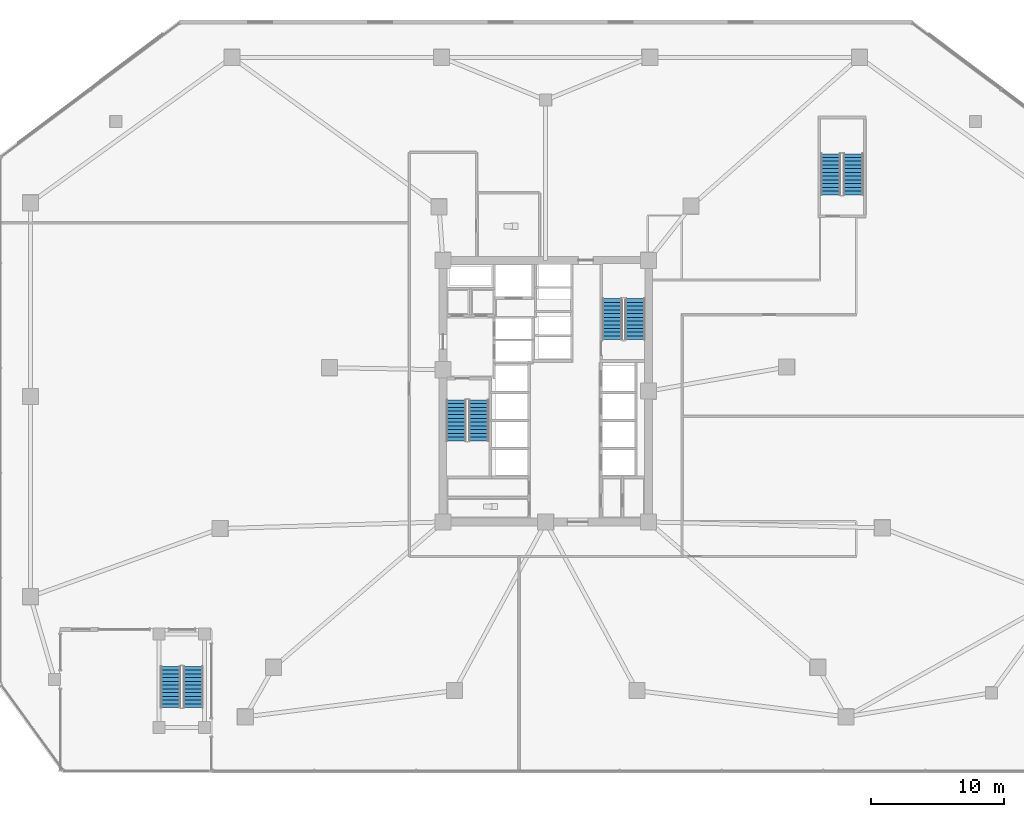
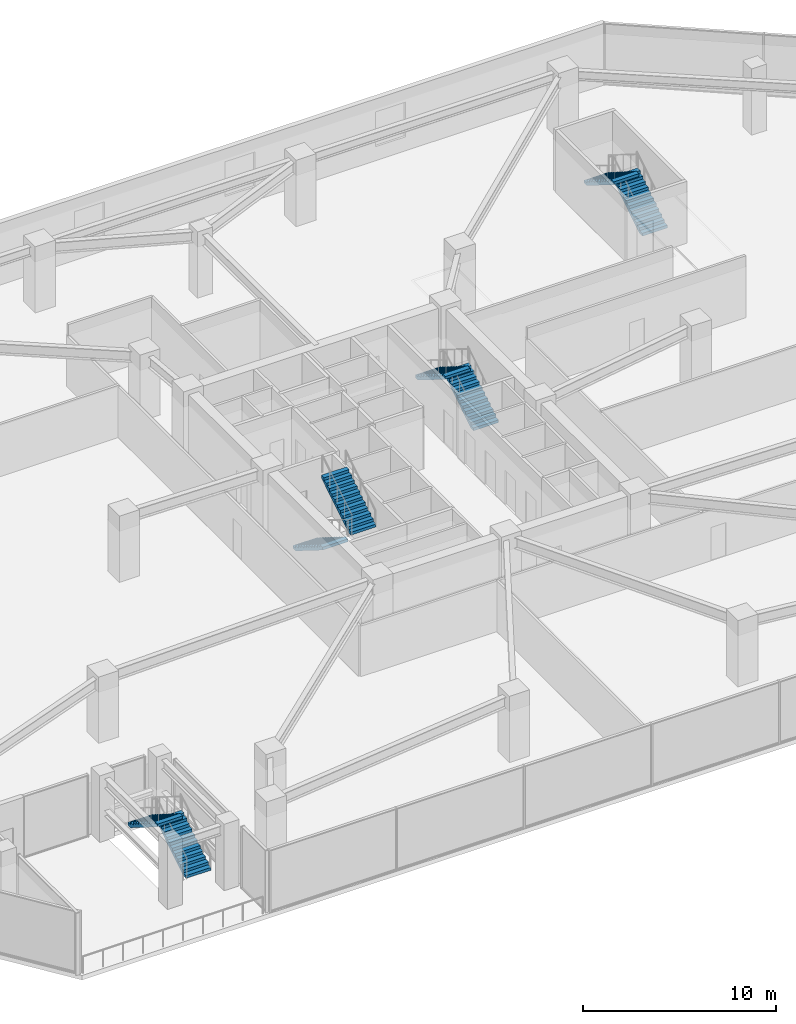
# One storey, part 13 of 21: 8 stair flights, 4 elements without a shape of their own.
"""IFC4 building model written with IfcOpenShell, lengths in metres."""

from ifc_helpers import new_model, si_unit, direction, frame, origin, place, context, subcontext, project, spatial, polyline, outline, extrude, material, type_object, element, aggregate, save


model = new_model("IFC4")

# Units and contexts
model_context = context("Model", 3, precision=1e-05, world=origin(), true_north=direction((0.0, 1.0)))
body_context = subcontext(model_context, "Body", "Model", "MODEL_VIEW")
ifc_project = project(units=[si_unit("LENGTHUNIT", "METRE"), si_unit("AREAUNIT", "SQUARE_METRE"), si_unit("VOLUMEUNIT", "CUBIC_METRE"), si_unit("PLANEANGLEUNIT", "RADIAN"), si_unit("MASSUNIT", "GRAM", prefix="KILO")], contexts=[model_context])

# Site, building, storey
site_placement = place(None, origin())
site = spatial("IfcSite", under=ifc_project, at=site_placement, CompositionType="ELEMENT")
building_placement = place(site_placement, origin())
building = spatial("IfcBuilding", under=site, at=building_placement, Name="Savorim Split Tower", CompositionType="ELEMENT")
storey_placement = place(building_placement, frame((0.0, 0.0, 5.0)))
storey = spatial("IfcBuildingStorey", under=building, at=storey_placement, Name="L01", CompositionType="ELEMENT", Elevation=5.0)

# Stair, stair flights
ifc_material = material(Name="Concrete C50/60", Category="concrete")
stair_type = type_object("IfcStairType", Name="STR-DOG-4200", PredefinedType="HALF_TURN_STAIR", material=ifc_material)
stair_1_placement = place(storey_placement, origin())
stair_1 = element("IfcStair", 1, at=stair_1_placement, inside=storey, type_object=stair_type, Name="L01 Core Protected Exit Stair ST-1", PredefinedType="HALF_TURN_STAIR")
stair_flight_type = type_object("IfcStairFlightType", Name="SFL-DOG-4200", PredefinedType="STRAIGHT", material=ifc_material)
stair_flight_1_placement = place(storey_placement, frame((-6.699951171875, -0.25, 0.0), z_axis=(0.0, 0.0, 1.0), x_axis=(0.0, -1.0, 0.0)))
stair_flight_1 = element("IfcStairFlight", 2, at=stair_flight_1_placement, type_object=stair_flight_type, Name="ST-1 flight 1", NumberOfRisers=12, NumberOfTreads=11, PredefinedType="STRAIGHT", RiserHeight=0.175, TreadLength=0.28, context=body_context, shape_type="SweptSolid", body=[
    extrude(outline(polyline([(0.0, 0.0), (0.0, 0.175048828125), (0.280029296875, 0.175048828125), (0.280029296875, 0.35009765625), (0.56005859375, 0.35009765625), (0.56005859375, 0.52490234375), (0.840087890625, 0.52490234375), (0.840087890625, 0.699951171875), (1.1201171875, 0.699951171875), (1.1201171875, 0.875), (1.39990234375, 0.875), (1.39990234375, 1.050048828125), (1.679931640625, 1.050048828125), (1.679931640625, 1.22509765625), (1.9599609375, 1.22509765625), (1.9599609375, 1.39990234375), (2.239990234375, 1.39990234375), (2.239990234375, 1.574951171875), (2.52001953125, 1.574951171875), (2.52001953125, 1.75), (2.800048828125, 1.75), (2.800048828125, 1.925048828125), (3.080078125, 1.925048828125), (3.080078125, 2.10009765625), (3.080078125, 1.748291015625), (0.28271484375, 0.0), (0.0, 0.0)])), frame((0.0, 0.75, 0.0), z_axis=(0.0, -1.0, 0.0), x_axis=(1.0, 0.0, 0.0)), (0.0, 0.0, 1.0), 1.5),
])
stair_flight_2_placement = place(storey_placement, frame((-5.0, -3.330078125, 2.10009765625), z_axis=(0.0, 0.0, 1.0), x_axis=(0.0, 1.0, 0.0)))
stair_flight_2 = element("IfcStairFlight", 3, at=stair_flight_2_placement, type_object=stair_flight_type, Name="ST-1 flight 2", NumberOfRisers=12, NumberOfTreads=11, PredefinedType="STRAIGHT", RiserHeight=0.175, TreadLength=0.28, context=body_context, shape_type="SweptSolid", body=[
    extrude(outline(polyline([(0.0, 0.0), (0.0, 0.175048828125), (0.280029296875, 0.175048828125), (0.280029296875, 0.35009765625), (0.56005859375, 0.35009765625), (0.56005859375, 0.52490234375), (0.840087890625, 0.52490234375), (0.840087890625, 0.699951171875), (1.1201171875, 0.699951171875), (1.1201171875, 0.875), (1.39990234375, 0.875), (1.39990234375, 1.050048828125), (1.679931640625, 1.050048828125), (1.679931640625, 1.22509765625), (1.9599609375, 1.22509765625), (1.9599609375, 1.39990234375), (2.239990234375, 1.39990234375), (2.239990234375, 1.574951171875), (2.52001953125, 1.574951171875), (2.52001953125, 1.75), (2.800048828125, 1.75), (2.800048828125, 1.925048828125), (3.080078125, 1.925048828125), (3.080078125, 2.10009765625), (3.080078125, 1.748291015625), (0.28271484375, 0.0), (0.0, 0.0)])), frame((0.0, 0.75, 0.0), z_axis=(0.0, -1.0, 0.0), x_axis=(1.0, 0.0, 0.0)), (0.0, 0.0, 1.0), 1.5),
])
aggregate(stair_1, [stair_flight_1, stair_flight_2])

stair_2_placement = place(storey_placement, origin())
stair_2 = element("IfcStair", 4, at=stair_2_placement, inside=storey, type_object=stair_type, Name="L01 Core Protected Exit Stair ST-2", PredefinedType="HALF_TURN_STAIR")
stair_flight_3_placement = place(storey_placement, frame((6.699951171875, 4.25, 0.0), z_axis=(0.0, 0.0, 1.0), x_axis=(0.0, 1.0, 0.0)))
stair_flight_3 = element("IfcStairFlight", 5, at=stair_flight_3_placement, type_object=stair_flight_type, Name="ST-2 flight 1", NumberOfRisers=12, NumberOfTreads=11, PredefinedType="STRAIGHT", RiserHeight=0.175, TreadLength=0.28, context=body_context, shape_type="SweptSolid", body=[
    extrude(outline(polyline([(0.0, 0.0), (0.0, 0.175048828125), (0.280029296875, 0.175048828125), (0.280029296875, 0.35009765625), (0.56005859375, 0.35009765625), (0.56005859375, 0.52490234375), (0.840087890625, 0.52490234375), (0.840087890625, 0.699951171875), (1.1201171875, 0.699951171875), (1.1201171875, 0.875), (1.39990234375, 0.875), (1.39990234375, 1.050048828125), (1.679931640625, 1.050048828125), (1.679931640625, 1.22509765625), (1.9599609375, 1.22509765625), (1.9599609375, 1.39990234375), (2.239990234375, 1.39990234375), (2.239990234375, 1.574951171875), (2.52001953125, 1.574951171875), (2.52001953125, 1.75), (2.800048828125, 1.75), (2.800048828125, 1.925048828125), (3.080078125, 1.925048828125), (3.080078125, 2.10009765625), (3.080078125, 1.748291015625), (0.28271484375, 0.0), (0.0, 0.0)])), frame((0.0, 0.75, 0.0), z_axis=(0.0, -1.0, 0.0), x_axis=(1.0, 0.0, 0.0)), (0.0, 0.0, 1.0), 1.5),
])
stair_flight_4_placement = place(storey_placement, frame((5.0, 7.330078125, 2.10009765625), z_axis=(0.0, 0.0, 1.0), x_axis=(0.0, -1.0, 0.0)))
stair_flight_4 = element("IfcStairFlight", 6, at=stair_flight_4_placement, type_object=stair_flight_type, Name="ST-2 flight 2", NumberOfRisers=12, NumberOfTreads=11, PredefinedType="STRAIGHT", RiserHeight=0.175, TreadLength=0.28, context=body_context, shape_type="SweptSolid", body=[
    extrude(outline(polyline([(0.0, 0.0), (0.0, 0.175048828125), (0.280029296875, 0.175048828125), (0.280029296875, 0.35009765625), (0.56005859375, 0.35009765625), (0.56005859375, 0.52490234375), (0.840087890625, 0.52490234375), (0.840087890625, 0.699951171875), (1.1201171875, 0.699951171875), (1.1201171875, 0.875), (1.39990234375, 0.875), (1.39990234375, 1.050048828125), (1.679931640625, 1.050048828125), (1.679931640625, 1.22509765625), (1.9599609375, 1.22509765625), (1.9599609375, 1.39990234375), (2.239990234375, 1.39990234375), (2.239990234375, 1.574951171875), (2.52001953125, 1.574951171875), (2.52001953125, 1.75), (2.800048828125, 1.75), (2.800048828125, 1.925048828125), (3.080078125, 1.925048828125), (3.080078125, 2.10009765625), (3.080078125, 1.748291015625), (0.28271484375, 0.0), (0.0, 0.0)])), frame((0.0, 0.75, 0.0), z_axis=(0.0, -1.0, 0.0), x_axis=(1.0, 0.0, 0.0)), (0.0, 0.0, 1.0), 1.5),
])
aggregate(stair_2, [stair_flight_3, stair_flight_4])

stair_3_placement = place(storey_placement, origin())
stair_3 = element("IfcStair", 7, at=stair_3_placement, inside=storey, type_object=stair_type, Name="L01 Podium Protected Garden Exit Stair ST-3", PredefinedType="HALF_TURN_STAIR")
stair_flight_5_placement = place(storey_placement, frame((23.050048828125, 15.10009765625, 0.0), z_axis=(0.0, 0.0, 1.0), x_axis=(0.0, 1.0, 0.0)))
stair_flight_5 = element("IfcStairFlight", 8, at=stair_flight_5_placement, type_object=stair_flight_type, Name="ST-3 flight 1", NumberOfRisers=12, NumberOfTreads=11, PredefinedType="STRAIGHT", RiserHeight=0.175, TreadLength=0.28, context=body_context, shape_type="SweptSolid", body=[
    extrude(outline(polyline([(0.0, 0.0), (0.0, 0.175048828125), (0.280029296875, 0.175048828125), (0.280029296875, 0.35009765625), (0.56005859375, 0.35009765625), (0.56005859375, 0.52490234375), (0.840087890625, 0.52490234375), (0.840087890625, 0.699951171875), (1.1201171875, 0.699951171875), (1.1201171875, 0.875), (1.39990234375, 0.875), (1.39990234375, 1.050048828125), (1.679931640625, 1.050048828125), (1.679931640625, 1.22509765625), (1.9599609375, 1.22509765625), (1.9599609375, 1.39990234375), (2.239990234375, 1.39990234375), (2.239990234375, 1.574951171875), (2.52001953125, 1.574951171875), (2.52001953125, 1.75), (2.800048828125, 1.75), (2.800048828125, 1.925048828125), (3.080078125, 1.925048828125), (3.080078125, 2.10009765625), (3.080078125, 1.748291015625), (0.28271484375, 0.0), (0.0, 0.0)])), frame((0.0, 0.75, 0.0), z_axis=(0.0, -1.0, 0.0), x_axis=(1.0, 0.0, 0.0)), (0.0, 0.0, 1.0), 1.5),
])
stair_flight_6_placement = place(storey_placement, frame((21.35009765625, 18.179931640625, 2.10009765625), z_axis=(0.0, 0.0, 1.0), x_axis=(0.0, -1.0, 0.0)))
stair_flight_6 = element("IfcStairFlight", 9, at=stair_flight_6_placement, type_object=stair_flight_type, Name="ST-3 flight 2", NumberOfRisers=12, NumberOfTreads=11, PredefinedType="STRAIGHT", RiserHeight=0.175, TreadLength=0.28, context=body_context, shape_type="SweptSolid", body=[
    extrude(outline(polyline([(0.0, 0.0), (0.0, 0.175048828125), (0.280029296875, 0.175048828125), (0.280029296875, 0.35009765625), (0.56005859375, 0.35009765625), (0.56005859375, 0.52490234375), (0.840087890625, 0.52490234375), (0.840087890625, 0.699951171875), (1.1201171875, 0.699951171875), (1.1201171875, 0.875), (1.39990234375, 0.875), (1.39990234375, 1.050048828125), (1.679931640625, 1.050048828125), (1.679931640625, 1.22509765625), (1.9599609375, 1.22509765625), (1.9599609375, 1.39990234375), (2.239990234375, 1.39990234375), (2.239990234375, 1.574951171875), (2.52001953125, 1.574951171875), (2.52001953125, 1.75), (2.800048828125, 1.75), (2.800048828125, 1.925048828125), (3.080078125, 1.925048828125), (3.080078125, 2.10009765625), (3.080078125, 1.748291015625), (0.28271484375, 0.0), (0.0, 0.0)])), frame((0.0, 0.75, 0.0), z_axis=(0.0, -1.0, 0.0), x_axis=(1.0, 0.0, 0.0)), (0.0, 0.0, 1.0), 1.5),
])
aggregate(stair_3, [stair_flight_5, stair_flight_6])

stair_4_placement = place(storey_placement, origin())
stair_4 = element("IfcStair", 10, at=stair_4_placement, inside=storey, type_object=stair_type, Name="L01 Exterior Stepped Public Garden Stair ST-GDN", PredefinedType="HALF_TURN_STAIR")
stair_flight_7_placement = place(storey_placement, frame((-26.39990234375, -23.300048828125, 0.0), z_axis=(0.0, 0.0, 1.0), x_axis=(0.0, 1.0, 0.0)))
stair_flight_7 = element("IfcStairFlight", 11, at=stair_flight_7_placement, type_object=stair_flight_type, Name="ST-GDN flight 1", NumberOfRisers=12, NumberOfTreads=11, PredefinedType="STRAIGHT", RiserHeight=0.175, TreadLength=0.28, context=body_context, shape_type="SweptSolid", body=[
    extrude(outline(polyline([(0.0, 0.0), (0.0, 0.175048828125), (0.280029296875, 0.175048828125), (0.280029296875, 0.35009765625), (0.56005859375, 0.35009765625), (0.56005859375, 0.52490234375), (0.840087890625, 0.52490234375), (0.840087890625, 0.699951171875), (1.1201171875, 0.699951171875), (1.1201171875, 0.875), (1.39990234375, 0.875), (1.39990234375, 1.050048828125), (1.679931640625, 1.050048828125), (1.679931640625, 1.22509765625), (1.9599609375, 1.22509765625), (1.9599609375, 1.39990234375), (2.239990234375, 1.39990234375), (2.239990234375, 1.574951171875), (2.52001953125, 1.574951171875), (2.52001953125, 1.75), (2.800048828125, 1.75), (2.800048828125, 1.925048828125), (3.080078125, 1.925048828125), (3.080078125, 2.10009765625), (3.080078125, 1.748291015625), (0.28271484375, 0.0), (0.0, 0.0)])), frame((0.0, 0.75, 0.0), z_axis=(0.0, -1.0, 0.0), x_axis=(1.0, 0.0, 0.0)), (0.0, 0.0, 1.0), 1.5),
])
stair_flight_8_placement = place(storey_placement, frame((-28.10009765625, -20.219970703125, 2.10009765625), z_axis=(0.0, 0.0, 1.0), x_axis=(0.0, -1.0, 0.0)))
stair_flight_8 = element("IfcStairFlight", 12, at=stair_flight_8_placement, type_object=stair_flight_type, Name="ST-GDN flight 2", NumberOfRisers=12, NumberOfTreads=11, PredefinedType="STRAIGHT", RiserHeight=0.175, TreadLength=0.28, context=body_context, shape_type="SweptSolid", body=[
    extrude(outline(polyline([(0.0, 0.0), (0.0, 0.175048828125), (0.280029296875, 0.175048828125), (0.280029296875, 0.35009765625), (0.56005859375, 0.35009765625), (0.56005859375, 0.52490234375), (0.840087890625, 0.52490234375), (0.840087890625, 0.699951171875), (1.1201171875, 0.699951171875), (1.1201171875, 0.875), (1.39990234375, 0.875), (1.39990234375, 1.050048828125), (1.679931640625, 1.050048828125), (1.679931640625, 1.22509765625), (1.9599609375, 1.22509765625), (1.9599609375, 1.39990234375), (2.239990234375, 1.39990234375), (2.239990234375, 1.574951171875), (2.52001953125, 1.574951171875), (2.52001953125, 1.75), (2.800048828125, 1.75), (2.800048828125, 1.925048828125), (3.080078125, 1.925048828125), (3.080078125, 2.10009765625), (3.080078125, 1.748291015625), (0.28271484375, 0.0), (0.0, 0.0)])), frame((0.0, 0.75, 0.0), z_axis=(0.0, -1.0, 0.0), x_axis=(1.0, 0.0, 0.0)), (0.0, 0.0, 1.0), 1.5),
])
aggregate(stair_4, [stair_flight_7, stair_flight_8])

save(model, "model.ifc")
